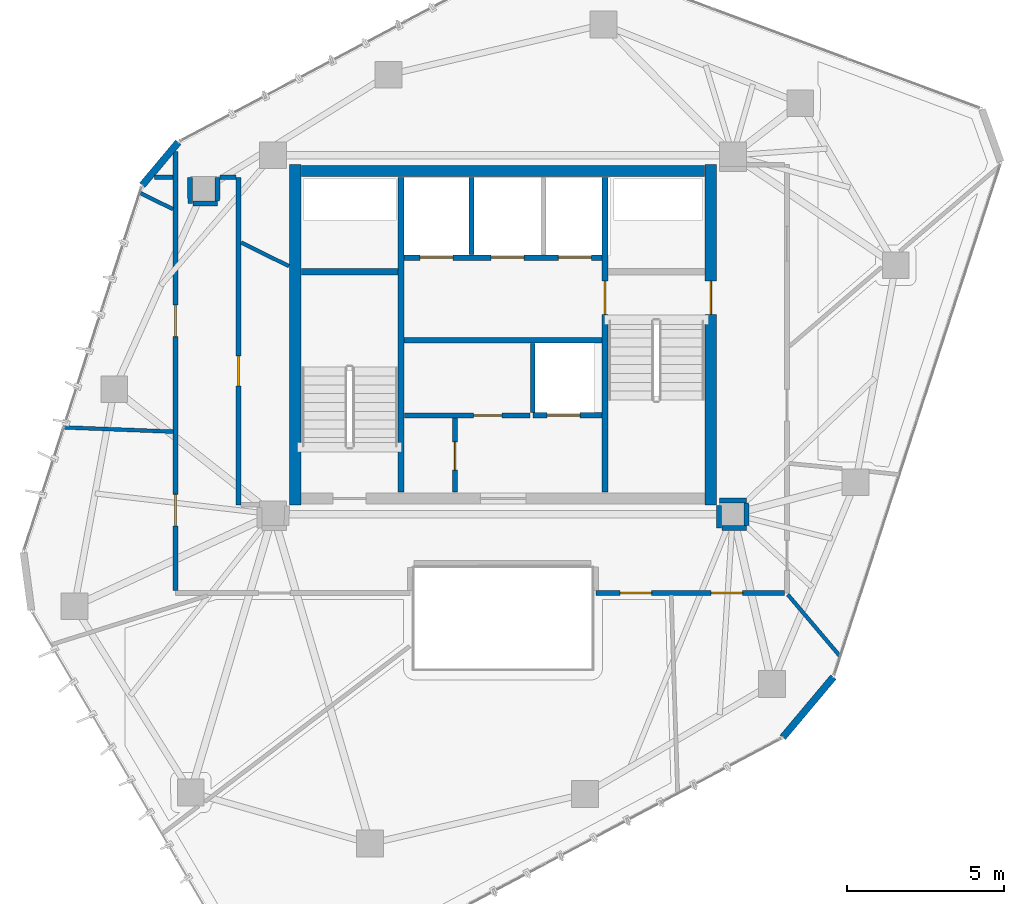
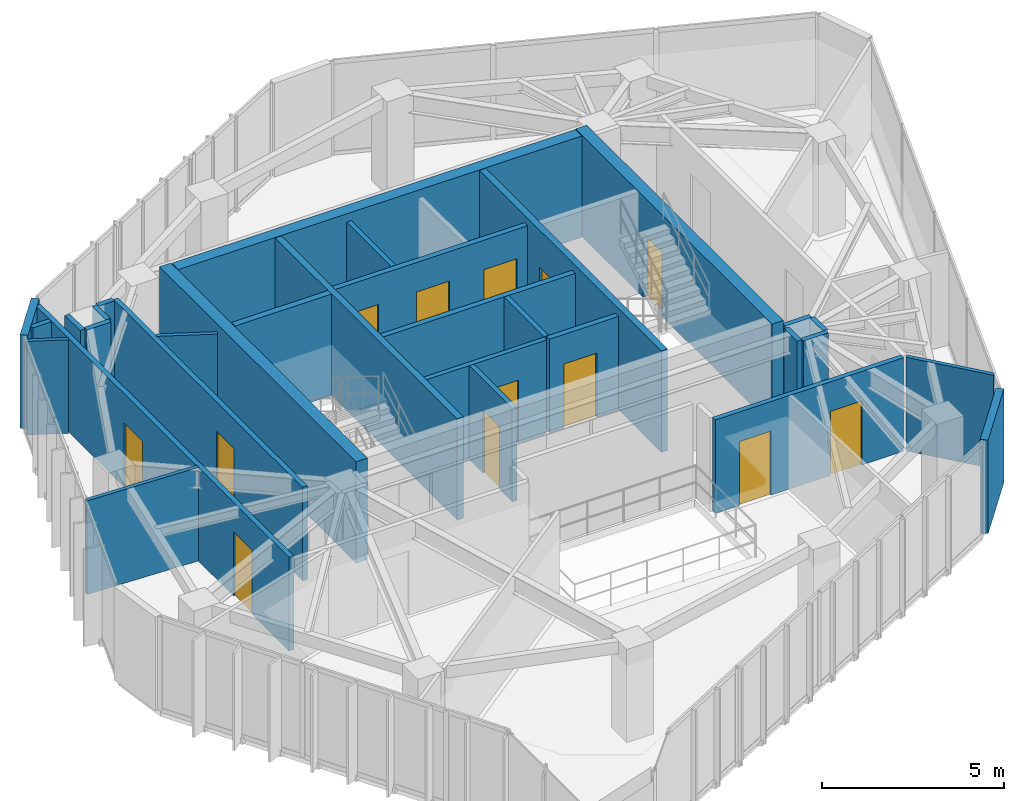
# One storey, part 17 of 20: 31 walls, 13 doors, 13 openings.
"""IFC4 building model written with IfcOpenShell, lengths in metres."""

from ifc_helpers import new_model, si_unit, direction, frame, frame_2d, origin, place, context, subcontext, project, spatial, rectangle, extrude, source, transform, mapped, material, layer, layer_set, type_object, type_shapes, element, fill, save


model = new_model("IFC4")

# Units and contexts
model_context = context("Model", 3, precision=1e-05, world=origin(), true_north=direction((0.0, 1.0)))
body_context = subcontext(model_context, "Body", "Model", "MODEL_VIEW")
ifc_project = project(units=[si_unit("LENGTHUNIT", "METRE"), si_unit("AREAUNIT", "SQUARE_METRE"), si_unit("VOLUMEUNIT", "CUBIC_METRE"), si_unit("PLANEANGLEUNIT", "RADIAN"), si_unit("MASSUNIT", "GRAM", prefix="KILO")], contexts=[model_context])

# Site, building, storey
site_placement = place(None, origin())
site = spatial("IfcSite", under=ifc_project, at=site_placement, CompositionType="ELEMENT")
building_placement = place(site_placement, origin())
building = spatial("IfcBuilding", under=site, at=building_placement, Name="Talar Marvaseh", CompositionType="ELEMENT")
storey_placement = place(building_placement, frame((0.0, 0.0, 261.199951171875)))
storey = spatial("IfcBuildingStorey", under=building, at=storey_placement, Name="L69", CompositionType="ELEMENT", Elevation=261.199951171875)

# Walls
ifc_material_1 = material(Name="Precast concrete C45/55", Category="concrete")
ifc_layer_1 = layer(ifc_material_1, 0.22509765625)
ifc_layer_set_1 = layer_set([ifc_layer_1], Name="Precast concrete C45/55")
wall_type_1 = type_object("IfcWallType", Name="Chamfered Hexagonal Corner Pier Wall Z4 225", PredefinedType="SOLIDWALL", material=ifc_layer_set_1)
wall_1_placement = place(storey_placement, frame((14.544677734375, 35.949951171875, 0.0), z_axis=(0.0, 0.0, 1.0), x_axis=(0.642783615646, 0.766047794499, 0.0)))
element("IfcWall", 1, at=wall_1_placement, inside=storey, type_object=wall_type_1, Name="L69 Chamfered Corner Limestone Pier 3", PredefinedType="SOLIDWALL", context=body_context, shape_type="SweptSolid", body=[
    extrude(rectangle(XDim=1.780517578125, YDim=0.22509765625, at=frame_2d((0.89013671875, 0.0))), origin(), (0.0, 0.0, 1.0), 3.14013671875),
])
wall_2_placement = place(storey_placement, frame((36.492431640625, 20.3291015625, 0.0), z_axis=(0.0, 0.0, 1.0), x_axis=(-0.642752667284, -0.766073761918, 0.0)))
element("IfcWall", 2, at=wall_2_placement, inside=storey, type_object=wall_type_1, Name="L69 Chamfered Corner Limestone Pier 6", PredefinedType="SOLIDWALL", context=body_context, shape_type="SweptSolid", body=[
    extrude(rectangle(XDim=2.50244140625, YDim=0.22509765625, at=frame_2d((1.251220703125, 0.0))), origin(), (0.0, 0.0, 1.0), 3.14013671875),
])

# Wall, opening, door
ifc_material_2 = material(Name="Gypsum Board Partition Assembly")
ifc_layer_2 = layer(ifc_material_2, 0.155029296875)
ifc_layer_set_2 = layer_set([ifc_layer_2], Name="Gypsum Board Partition Assembly")
wall_type_2 = type_object("IfcWallType", Name="Corridor Fire-Rated Acoustic Partition 155", PredefinedType="PARTITIONING", material=ifc_layer_set_2)
wall_3_placement = place(storey_placement, frame((22.865966796875, 28.639892578125, 0.0), z_axis=(0.0, 0.0, 1.0), x_axis=(1.0, 0.0, 0.0)))
wall_3 = element("IfcWall", 3, at=wall_3_placement, inside=storey, type_object=wall_type_2, Name="L69 Core BOH Partition", PredefinedType="PARTITIONING", context=body_context, shape_type="SweptSolid", body=[
    extrude(rectangle(XDim=3.994140625, YDim=0.155029296875, at=frame_2d((1.9970703125, 0.0))), origin(), (0.0, 0.0, 1.0), 3.14013671875),
])
opening_1_placement = place(wall_3_placement, frame((2.199951171875, 0.0, 0.0)))
opening_1 = element("IfcOpeningElement", 4, at=opening_1_placement, cuts=wall_3, Name="Opening DR-BOH090", PredefinedType="OPENING", context=body_context, shape_type="SweptSolid", body=[
    extrude(rectangle(XDim=0.89990234375, YDim=2.10009765625, at=frame_2d((0.449951171875, 1.050048828125))), frame((0.0, 0.08740234375, 0.0), z_axis=(0.0, -1.0, 0.0), x_axis=(1.0, 0.0, 0.0)), (0.0, 0.0, 1.0), 0.175048828125),
])
ifc_material_3 = material(Name="Fire-Rated Steel Door Leaf", Category="steel")
door_type_1 = type_object("IfcDoorType", Name="Core Back-of-House Service Door 900x2100", OperationType="NOTDEFINED", PredefinedType="DOOR", material=ifc_material_3)
shared_shape_1 = source(origin(), body_context, "Body", "SweptSolid", [
    extrude(rectangle(XDim=0.89990234375, YDim=2.10009765625, at=frame_2d((0.449951171875, 1.050048828125))), frame((0.0, 0.02490234375, 0.0), z_axis=(0.0, -1.0, 0.0), x_axis=(1.0, 0.0, 0.0)), (0.0, 0.0, 1.0), 0.050048828125),
])
type_shapes(door_type_1, [shared_shape_1])
door_1_placement = place(opening_1_placement, origin())
door_1 = element("IfcDoor", 5, at=door_1_placement, inside=storey, type_object=door_type_1, Name="L69 Store Sky Core Archive Room Door", OperationType="SINGLE_SWING_LEFT", OverallHeight=2.10009765625, OverallWidth=0.89990234375, PredefinedType="DOOR", context=body_context, shape_type="MappedRepresentation", body=[
    mapped(shared_shape_1, transform((0.0, 0.0, 0.0), x_axis=(1.0, 0.0, 0.0), y_axis=(0.0, 1.0, 0.0), z_axis=(0.0, 0.0, 1.0), scale=1.0)),
])
fill(opening_1, door_1)

wall_4_placement = place(storey_placement, frame((24.47998046875, 26.199951171875, 0.0), z_axis=(0.0, 0.0, 1.0), x_axis=(0.0, 1.0, 0.0)))
wall_4 = element("IfcWall", 6, at=wall_4_placement, inside=storey, type_object=wall_type_2, Name="L69 Core BOH Partition", PredefinedType="PARTITIONING", context=body_context, shape_type="SweptSolid", body=[
    extrude(rectangle(XDim=2.360107421875, YDim=0.155029296875, at=frame_2d((1.18017578125, 0.0))), origin(), (0.0, 0.0, 1.0), 3.14013671875),
])
opening_2_placement = place(wall_4_placement, frame((0.699951171875, 0.0, 0.0)))
opening_2 = element("IfcOpeningElement", 7, at=opening_2_placement, cuts=wall_4, Name="Opening DR-BOH090", PredefinedType="OPENING", context=body_context, shape_type="SweptSolid", body=[
    extrude(rectangle(XDim=0.89990234375, YDim=2.10009765625, at=frame_2d((0.449951171875, 1.050048828125))), frame((0.0, 0.08740234375, 0.0), z_axis=(0.0, -1.0, 0.0), x_axis=(1.0, 0.0, 0.0)), (0.0, 0.0, 1.0), 0.175048828125),
])
door_2_placement = place(opening_2_placement, origin())
door_2 = element("IfcDoor", 8, at=door_2_placement, inside=storey, type_object=door_type_1, Name="L69 Cleaner and Linen Store Door", OperationType="SINGLE_SWING_LEFT", OverallHeight=2.10009765625, OverallWidth=0.89990234375, PredefinedType="DOOR", context=body_context, shape_type="MappedRepresentation", body=[
    mapped(shared_shape_1, transform((0.0, 0.0, 0.0), x_axis=(1.0, 0.0, 0.0), y_axis=(0.0, 1.0, 0.0), z_axis=(0.0, 0.0, 1.0), scale=1.0)),
])
fill(opening_2, door_2)

wall_5_placement = place(storey_placement, frame((17.60009765625, 36.199951171875, 0.0), z_axis=(0.0, 0.0, 1.0), x_axis=(0.0, -1.0, 0.0)))
wall_5 = element("IfcWall", 9, at=wall_5_placement, inside=storey, type_object=wall_type_2, Name="L69 Interior Partition Wall", PredefinedType="PARTITIONING", context=body_context, shape_type="SweptSolid", body=[
    extrude(rectangle(XDim=10.39990234375, YDim=0.155029296875, at=frame_2d((5.199951171875, 0.0))), origin(), (0.0, 0.0, 1.0), 3.14013671875),
])
opening_3_placement = place(wall_5_placement, frame((5.672119140625, 0.0, 0.0)))
opening_3 = element("IfcOpeningElement", 10, at=opening_3_placement, cuts=wall_5, Name="Opening DR-WC095", PredefinedType="OPENING", context=body_context, shape_type="SweptSolid", body=[
    extrude(rectangle(XDim=0.949951171875, YDim=2.14990234375, at=frame_2d((0.47509765625, 1.074951171875))), frame((0.0, 0.08740234375, 0.0), z_axis=(0.0, -1.0, 0.0), x_axis=(1.0, 0.0, 0.0)), (0.0, 0.0, 1.0), 0.175048828125),
])
ifc_material_4 = material(Name="Acoustic Engineered Oak Timber", Category="wood")
door_type_2 = type_object("IfcDoorType", Name="Washroom and Service Room Door 950x2150", OperationType="NOTDEFINED", PredefinedType="DOOR", material=ifc_material_4)
shared_shape_2 = source(origin(), body_context, "Body", "SweptSolid", [
    extrude(rectangle(XDim=0.949951171875, YDim=2.14990234375, at=frame_2d((0.47509765625, 1.074951171875))), frame((0.0, 0.02490234375, 0.0), z_axis=(0.0, -1.0, 0.0), x_axis=(1.0, 0.0, 0.0)), (0.0, 0.0, 1.0), 0.050048828125),
])
type_shapes(door_type_2, [shared_shape_2])
door_3_placement = place(opening_3_placement, origin())
door_3 = element("IfcDoor", 11, at=door_3_placement, inside=storey, type_object=door_type_2, Name="L69 Accessible WC Door", OperationType="SINGLE_SWING_RIGHT", OverallHeight=2.14990234375, OverallWidth=0.949951171875, PredefinedType="DOOR", context=body_context, shape_type="MappedRepresentation", body=[
    mapped(shared_shape_2, transform((0.0, 0.0, 0.0), x_axis=(1.0, 0.0, 0.0), y_axis=(0.0, 1.0, 0.0), z_axis=(0.0, 0.0, 1.0), scale=1.0)),
])
fill(opening_3, door_3)

# Wall, openings, doors
wall_6_placement = place(storey_placement, frame((34.9365234375, 23.0, 0.0), z_axis=(0.0, 0.0, 1.0), x_axis=(-1.0, 0.0, 0.0)))
wall_6 = element("IfcWall", 12, at=wall_6_placement, inside=storey, type_object=wall_type_2, Name="L69 Interior Partition Wall", PredefinedType="PARTITIONING", context=body_context, shape_type="SweptSolid", body=[
    extrude(rectangle(XDim=5.9765625, YDim=0.155029296875, at=frame_2d((2.98828125, 0.0))), origin(), (0.0, 0.0, 1.0), 3.14013671875),
])
opening_4_placement = place(wall_6_placement, frame((4.215087890625, 0.0, 0.0)))
opening_4 = element("IfcOpeningElement", 13, at=opening_4_placement, cuts=wall_6, Name="Opening DR-RM100", PredefinedType="OPENING", context=body_context, shape_type="SweptSolid", body=[
    extrude(rectangle(XDim=1.0, YDim=2.14990234375, at=frame_2d((0.5, 1.074951171875))), frame((0.0, 0.08740234375, 0.0), z_axis=(0.0, -1.0, 0.0), x_axis=(1.0, 0.0, 0.0)), (0.0, 0.0, 1.0), 0.175048828125),
])
opening_5_placement = place(wall_6_placement, frame((1.324951171875, 0.0, 0.0)))
opening_5 = element("IfcOpeningElement", 14, at=opening_5_placement, cuts=wall_6, Name="Opening DR-RM100", PredefinedType="OPENING", context=body_context, shape_type="SweptSolid", body=[
    extrude(rectangle(XDim=1.0, YDim=2.14990234375, at=frame_2d((0.5, 1.074951171875))), frame((0.0, 0.08740234375, 0.0), z_axis=(0.0, -1.0, 0.0), x_axis=(1.0, 0.0, 0.0)), (0.0, 0.0, 1.0), 0.175048828125),
])
door_type_3 = type_object("IfcDoorType", Name="Corridor Fire-Rated Gallery Door 1000x2150", OperationType="NOTDEFINED", PredefinedType="DOOR", material=ifc_material_4)
shared_shape_3 = source(origin(), body_context, "Body", "SweptSolid", [
    extrude(rectangle(XDim=1.0, YDim=2.14990234375, at=frame_2d((0.5, 1.074951171875))), frame((0.0, 0.02490234375, 0.0), z_axis=(0.0, -1.0, 0.0), x_axis=(1.0, 0.0, 0.0)), (0.0, 0.0, 1.0), 0.050048828125),
])
type_shapes(door_type_3, [shared_shape_3])
door_4_placement = place(opening_4_placement, origin())
door_4 = element("IfcDoor", 15, at=door_4_placement, inside=storey, type_object=door_type_3, Name="L69 Artisan Craft Showroom Door", OperationType="SINGLE_SWING_RIGHT", OverallHeight=2.14990234375, OverallWidth=1.0, PredefinedType="DOOR", context=body_context, shape_type="MappedRepresentation", body=[
    mapped(shared_shape_3, transform((0.0, 0.0, 0.0), x_axis=(1.0, 0.0, 0.0), y_axis=(0.0, 1.0, 0.0), z_axis=(0.0, 0.0, 1.0), scale=1.0)),
])
fill(opening_4, door_4)
door_5_placement = place(opening_5_placement, origin())
door_5 = element("IfcDoor", 16, at=door_5_placement, inside=storey, type_object=door_type_3, Name="L69 Registrar Mail and Post Room Door", OperationType="SINGLE_SWING_LEFT", OverallHeight=2.14990234375, OverallWidth=1.0, PredefinedType="DOOR", context=body_context, shape_type="MappedRepresentation", body=[
    mapped(shared_shape_3, transform((0.0, 0.0, 0.0), x_axis=(1.0, 0.0, 0.0), y_axis=(0.0, 1.0, 0.0), z_axis=(0.0, 0.0, 1.0), scale=1.0)),
])
fill(opening_5, door_5)

wall_7_placement = place(storey_placement, frame((15.60009765625, 23.08349609375, 0.0), z_axis=(0.0, 0.0, 1.0), x_axis=(0.0, 1.0, 0.0)))
wall_7 = element("IfcWall", 17, at=wall_7_placement, inside=storey, type_object=wall_type_2, Name="L69 Interior Partition Wall", PredefinedType="PARTITIONING", context=body_context, shape_type="SweptSolid", body=[
    extrude(rectangle(XDim=13.939208984375, YDim=0.155029296875, at=frame_2d((6.9697265625, 0.0))), origin(), (0.0, 0.0, 1.0), 3.14013671875),
])
opening_6_placement = place(wall_7_placement, frame((2.044677734375, 0.0, 0.0)))
opening_6 = element("IfcOpeningElement", 18, at=opening_6_placement, cuts=wall_7, Name="Opening DR-RM100", PredefinedType="OPENING", context=body_context, shape_type="SweptSolid", body=[
    extrude(rectangle(XDim=1.0, YDim=2.14990234375, at=frame_2d((0.5, 1.074951171875))), frame((0.0, 0.08740234375, 0.0), z_axis=(0.0, -1.0, 0.0), x_axis=(1.0, 0.0, 0.0)), (0.0, 0.0, 1.0), 0.175048828125),
])
opening_7_placement = place(wall_7_placement, frame((8.0556640625, 0.0, 0.0)))
opening_7 = element("IfcOpeningElement", 19, at=opening_7_placement, cuts=wall_7, Name="Opening DR-RM100", PredefinedType="OPENING", context=body_context, shape_type="SweptSolid", body=[
    extrude(rectangle(XDim=1.0, YDim=2.14990234375, at=frame_2d((0.5, 1.074951171875))), frame((0.0, 0.08740234375, 0.0), z_axis=(0.0, -1.0, 0.0), x_axis=(1.0, 0.0, 0.0)), (0.0, 0.0, 1.0), 0.175048828125),
])
door_6_placement = place(opening_6_placement, origin())
door_6 = element("IfcDoor", 20, at=door_6_placement, inside=storey, type_object=door_type_3, Name="L69 Museum Publication Bookshop Door", OperationType="SINGLE_SWING_RIGHT", OverallHeight=2.14990234375, OverallWidth=1.0, PredefinedType="DOOR", context=body_context, shape_type="MappedRepresentation", body=[
    mapped(shared_shape_3, transform((0.0, 0.0, 0.0), x_axis=(1.0, 0.0, 0.0), y_axis=(0.0, 1.0, 0.0), z_axis=(0.0, 0.0, 1.0), scale=1.0)),
])
fill(opening_6, door_6)
door_7_placement = place(opening_7_placement, origin())
door_7 = element("IfcDoor", 21, at=door_7_placement, inside=storey, type_object=door_type_3, Name="L69 Digital Paleography Studio Door", OperationType="SINGLE_SWING_LEFT", OverallHeight=2.14990234375, OverallWidth=1.0, PredefinedType="DOOR", context=body_context, shape_type="MappedRepresentation", body=[
    mapped(shared_shape_3, transform((0.0, 0.0, 0.0), x_axis=(1.0, 0.0, 0.0), y_axis=(0.0, 1.0, 0.0), z_axis=(0.0, 0.0, 1.0), scale=1.0)),
])
fill(opening_7, door_7)

# Walls
wall_8_placement = place(storey_placement, frame((16.053955078125, 36.199951171875, 0.0), z_axis=(0.0, 0.0, 1.0), x_axis=(0.018168161375, -0.999834945335, 0.0)))
element("IfcWall", 22, at=wall_8_placement, inside=storey, type_object=wall_type_2, Name="L69 Interior Partition Wall", PredefinedType="PARTITIONING", context=body_context, shape_type="SweptSolid", body=[
    extrude(rectangle(XDim=0.833251953125, YDim=0.155029296875, at=frame_2d((0.41650390625, 0.0))), origin(), (0.0, 0.0, 1.0), 3.14013671875),
])
wall_9_placement = place(storey_placement, frame((16.152587890625, 35.3671875, 0.0), z_axis=(0.0, 0.0, 1.0), x_axis=(0.999997558852, 0.002209590566, 0.0)))
element("IfcWall", 23, at=wall_9_placement, inside=storey, type_object=wall_type_2, Name="L69 Interior Partition Wall", PredefinedType="PARTITIONING", context=body_context, shape_type="SweptSolid", body=[
    extrude(rectangle(XDim=0.7734375, YDim=0.155029296875, at=frame_2d((0.38671875, 0.0))), origin(), (0.0, 0.0, 1.0), 3.14013671875),
])
wall_10_placement = place(storey_placement, frame((16.927001953125, 35.452392578125, 0.0), z_axis=(0.0, 0.0, 1.0), x_axis=(0.009470509294, 0.999955153721, 0.0)))
element("IfcWall", 24, at=wall_10_placement, inside=storey, type_object=wall_type_2, Name="L69 Interior Partition Wall", PredefinedType="PARTITIONING", context=body_context, shape_type="SweptSolid", body=[
    extrude(rectangle(XDim=0.74755859375, YDim=0.155029296875, at=frame_2d((0.373779296875, 0.0))), origin(), (0.0, 0.0, 1.0), 3.14013671875),
])
wall_11_placement = place(storey_placement, frame((17.017578125, 36.199951171875, 0.0), z_axis=(0.0, 0.0, 1.0), x_axis=(1.0, 0.0, 0.0)))
element("IfcWall", 25, at=wall_11_placement, inside=storey, type_object=wall_type_2, Name="L69 Interior Partition Wall", PredefinedType="PARTITIONING", context=body_context, shape_type="SweptSolid", body=[
    extrude(rectangle(XDim=0.4990234375, YDim=0.155029296875, at=frame_2d((0.24951171875, 0.0))), origin(), (0.0, 0.0, 1.0), 3.14013671875),
])
wall_12_placement = place(storey_placement, frame((14.936279296875, 36.199951171875, 0.0), z_axis=(0.0, 0.0, 1.0), x_axis=(1.0, 0.0, 0.0)))
element("IfcWall", 26, at=wall_12_placement, inside=storey, type_object=wall_type_2, Name="L69 Interior Partition Wall", PredefinedType="PARTITIONING", context=body_context, shape_type="SweptSolid", body=[
    extrude(rectangle(XDim=0.580322265625, YDim=0.155029296875, at=frame_2d((0.2900390625, 0.0))), origin(), (0.0, 0.0, 1.0), 3.14013671875),
])
wall_13_placement = place(storey_placement, frame((33.72509765625, 25.93994140625, 0.0), z_axis=(0.0, 0.0, 1.0), x_axis=(-0.999986790873, -0.005139852152, 0.0)))
element("IfcWall", 27, at=wall_13_placement, inside=storey, type_object=wall_type_2, Name="L69 Interior Partition Wall", PredefinedType="PARTITIONING", context=body_context, shape_type="SweptSolid", body=[
    extrude(rectangle(XDim=0.85498046875, YDim=0.155029296875, at=frame_2d((0.427490234375, 0.0))), origin(), (0.0, 0.0, 1.0), 3.14013671875),
])
wall_14_placement = place(storey_placement, frame((32.864501953125, 25.772705078125, 0.0), z_axis=(0.0, 0.0, 1.0), x_axis=(0.0, -1.0, 0.0)))
element("IfcWall", 28, at=wall_14_placement, inside=storey, type_object=wall_type_2, Name="L69 Interior Partition Wall", PredefinedType="PARTITIONING", context=body_context, shape_type="SweptSolid", body=[
    extrude(rectangle(XDim=0.708251953125, YDim=0.155029296875, at=frame_2d((0.35400390625, 0.0))), origin(), (0.0, 0.0, 1.0), 3.14013671875),
])
wall_15_placement = place(storey_placement, frame((32.947998046875, 25.064453125, 0.0), z_axis=(0.0, 0.0, 1.0), x_axis=(1.0, 0.0, 0.0)))
element("IfcWall", 29, at=wall_15_placement, inside=storey, type_object=wall_type_2, Name="L69 Interior Partition Wall", PredefinedType="PARTITIONING", context=body_context, shape_type="SweptSolid", body=[
    extrude(rectangle(XDim=0.78759765625, YDim=0.155029296875, at=frame_2d((0.393798828125, 0.0))), origin(), (0.0, 0.0, 1.0), 3.14013671875),
])
wall_16_placement = place(storey_placement, frame((33.734619140625, 25.14794921875, 0.0), z_axis=(0.0, 0.0, 1.0), x_axis=(-0.012059770759, 0.99992727832, 0.0)))
element("IfcWall", 30, at=wall_16_placement, inside=storey, type_object=wall_type_2, Name="L69 Interior Partition Wall", PredefinedType="PARTITIONING", context=body_context, shape_type="SweptSolid", body=[
    extrude(rectangle(XDim=0.70849609375, YDim=0.155029296875, at=frame_2d((0.354248046875, 0.0))), origin(), (0.0, 0.0, 1.0), 3.14013671875),
])
ifc_layer_3 = layer(ifc_material_2, 0.1201171875)
ifc_layer_set_3 = layer_set([ifc_layer_3], Name="Gypsum Board Partition Assembly")
wall_type_3 = type_object("IfcWallType", Name="Demountable Studio Room Partition 120", PredefinedType="PARTITIONING", material=ifc_layer_set_3)
wall_17_placement = place(storey_placement, frame((12.075927734375, 28.257080078125, 0.0), z_axis=(0.0, 0.0, 1.0), x_axis=(0.999244622917, -0.038861080408, 0.0)))
element("IfcWall", 31, at=wall_17_placement, inside=storey, type_object=wall_type_3, Name="L69 Interior Partition Wall", PredefinedType="PARTITIONING", context=body_context, shape_type="SweptSolid", body=[
    extrude(rectangle(XDim=3.461669921875, YDim=0.1201171875, at=frame_2d((1.73095703125, 0.0))), origin(), (0.0, 0.0, 1.0), 3.14013671875),
])
wall_18_placement = place(storey_placement, frame((35.0419921875, 22.950439453125, 0.0), z_axis=(0.0, 0.0, 1.0), x_axis=(0.646696133088, -0.762747737754, 0.0)))
element("IfcWall", 32, at=wall_18_placement, inside=storey, type_object=wall_type_3, Name="L69 Interior Partition Wall", PredefinedType="PARTITIONING", context=body_context, shape_type="SweptSolid", body=[
    extrude(rectangle(XDim=2.553955078125, YDim=0.1201171875, at=frame_2d((1.27685546875, 0.0))), origin(), (0.0, 0.0, 1.0), 3.14013671875),
])
wall_19_placement = place(storey_placement, frame((15.5166015625, 35.19091796875, 0.0), z_axis=(0.0, 0.0, 1.0), x_axis=(-0.898216722048, 0.439552863981, 0.0)))
element("IfcWall", 33, at=wall_19_placement, inside=storey, type_object=wall_type_3, Name="L69 Interior Partition Wall", PredefinedType="PARTITIONING", context=body_context, shape_type="SweptSolid", body=[
    extrude(rectangle(XDim=1.149658203125, YDim=0.1201171875, at=frame_2d((0.57470703125, 0.0))), origin(), (0.0, 0.0, 1.0), 3.14013671875),
])
wall_20_placement = place(storey_placement, frame((19.199951171875, 33.3798828125, 0.0), z_axis=(0.0, 0.0, 1.0), x_axis=(-0.89658201536, 0.442877736777, 0.0)))
element("IfcWall", 34, at=wall_20_placement, inside=storey, type_object=wall_type_3, Name="L69 Interior Partition Wall", PredefinedType="PARTITIONING", context=body_context, shape_type="SweptSolid", body=[
    extrude(rectangle(XDim=1.691162109375, YDim=0.1201171875, at=frame_2d((0.845703125, 0.0))), origin(), (0.0, 0.0, 1.0), 3.14013671875),
])
ifc_layer_4 = layer(ifc_material_1, 0.14501953125)
ifc_layer_set_4 = layer_set([ifc_layer_4], Name="Precast concrete C45/55")
wall_type_4 = type_object("IfcWallType", Name="Fire-Rated Lift Divider Wall 145", PredefinedType="SOLIDWALL", material=ifc_layer_set_4)
wall_21_placement = place(storey_placement, frame((25.0, 33.743408203125, 0.0), z_axis=(0.0, 0.0, 1.0), x_axis=(0.0, 1.0, 0.0)))
element("IfcWall", 35, at=wall_21_placement, inside=storey, type_object=wall_type_4, Name="L69 FFL-1/FFL-2 Divider", PredefinedType="SOLIDWALL", context=body_context, shape_type="SweptSolid", body=[
    extrude(rectangle(XDim=2.45654296875, YDim=0.14501953125, at=frame_2d((1.228271484375, 0.0))), origin(), (0.0, 0.0, 1.0), 3.14013671875),
])
wall_22_placement = place(storey_placement, frame((26.949951171875, 28.7333984375, 0.0), z_axis=(0.0, 0.0, 1.0), x_axis=(0.0, 1.0, 0.0)))
element("IfcWall", 36, at=wall_22_placement, inside=storey, type_object=wall_type_4, Name="L69 PL-H3 West Shaft Wall", PredefinedType="SOLIDWALL", context=body_context, shape_type="SweptSolid", body=[
    extrude(rectangle(XDim=2.193115234375, YDim=0.14501953125, at=frame_2d((1.0966796875, 0.0))), origin(), (0.0, 0.0, 1.0), 3.14013671875),
])

# Wall, openings, doors
ifc_layer_5 = layer(ifc_material_1, 0.175048828125)
ifc_layer_set_5 = layer_set([ifc_layer_5], Name="Precast concrete C45/55")
wall_type_5 = type_object("IfcWallType", Name="Fire-Rated Lift Hoistway Enclosure Wall 175", PredefinedType="SOLIDWALL", material=ifc_layer_set_5)
wall_23_placement = place(storey_placement, frame((22.860107421875, 33.64990234375, 0.0), z_axis=(0.0, 0.0, 1.0), x_axis=(1.0, 0.0, 0.0)))
wall_23 = element("IfcWall", 37, at=wall_23_placement, inside=storey, type_object=wall_type_5, Name="L69 Firefighting and Service Lift Front Wall", PredefinedType="SOLIDWALL", context=body_context, shape_type="SweptSolid", body=[
    extrude(rectangle(XDim=6.27978515625, YDim=0.175048828125, at=frame_2d((3.139892578125, 0.0))), origin(), (0.0, 0.0, 1.0), 3.14013671875),
])
opening_8_placement = place(wall_23_placement, frame((0.5, 0.0, 0.0)))
opening_8 = element("IfcOpeningElement", 38, at=opening_8_placement, cuts=wall_23, Name="Opening LD-FF1", PredefinedType="OPENING", context=body_context, shape_type="SweptSolid", body=[
    extrude(rectangle(XDim=1.050048828125, YDim=2.14990234375, at=frame_2d((0.52490234375, 1.074951171875))), frame((0.0, 0.09765625, 0.0), z_axis=(0.0, -1.0, 0.0), x_axis=(1.0, 0.0, 0.0)), (0.0, 0.0, 1.0), 0.195068359375),
])
opening_9_placement = place(wall_23_placement, frame((2.760009765625, 0.0, 0.0)))
opening_9 = element("IfcOpeningElement", 39, at=opening_9_placement, cuts=wall_23, Name="Opening LD-FF2", PredefinedType="OPENING", context=body_context, shape_type="SweptSolid", body=[
    extrude(rectangle(XDim=1.050048828125, YDim=2.14990234375, at=frame_2d((0.52490234375, 1.074951171875))), frame((0.0, 0.09765625, 0.0), z_axis=(0.0, -1.0, 0.0), x_axis=(1.0, 0.0, 0.0)), (0.0, 0.0, 1.0), 0.195068359375),
])
opening_10_placement = place(wall_23_placement, frame((4.89990234375, 0.0, 0.0)))
opening_10 = element("IfcOpeningElement", 40, at=opening_10_placement, cuts=wall_23, Name="Opening LD-SV1", PredefinedType="OPENING", context=body_context, shape_type="SweptSolid", body=[
    extrude(rectangle(XDim=1.050048828125, YDim=2.14990234375, at=frame_2d((0.52490234375, 1.074951171875))), frame((0.0, 0.09765625, 0.0), z_axis=(0.0, -1.0, 0.0), x_axis=(1.0, 0.0, 0.0)), (0.0, 0.0, 1.0), 0.195068359375),
])
ifc_material_5 = material(Name="Stainless Steel Grade 316", Category="steel")
door_type_4 = type_object("IfcDoorType", Name="Automatic Sliding Lift Landing Door 1050x2150", OperationType="NOTDEFINED", PredefinedType="DOOR", material=ifc_material_5)
shared_shape_4 = source(origin(), body_context, "Body", "SweptSolid", [
    extrude(rectangle(XDim=1.050048828125, YDim=2.14990234375, at=frame_2d((0.52490234375, 1.074951171875))), frame((0.0, 0.02490234375, 0.0), z_axis=(0.0, -1.0, 0.0), x_axis=(1.0, 0.0, 0.0)), (0.0, 0.0, 1.0), 0.050048828125),
])
type_shapes(door_type_4, [shared_shape_4])
door_8_placement = place(opening_8_placement, origin())
door_8 = element("IfcDoor", 41, at=door_8_placement, inside=storey, type_object=door_type_4, Name="L69 Lift FFL-1 Sliding Landing Door", OperationType="SLIDING_TO_LEFT", OverallHeight=2.14990234375, OverallWidth=1.050048828125, PredefinedType="DOOR", context=body_context, shape_type="MappedRepresentation", body=[
    mapped(shared_shape_4, transform((0.0, 0.0, 0.0), x_axis=(1.0, 0.0, 0.0), y_axis=(0.0, 1.0, 0.0), z_axis=(0.0, 0.0, 1.0), scale=1.0)),
])
fill(opening_8, door_8)
door_9_placement = place(opening_9_placement, origin())
door_9 = element("IfcDoor", 42, at=door_9_placement, inside=storey, type_object=door_type_4, Name="L69 Lift FFL-2 Sliding Landing Door", OperationType="SLIDING_TO_LEFT", OverallHeight=2.14990234375, OverallWidth=1.050048828125, PredefinedType="DOOR", context=body_context, shape_type="MappedRepresentation", body=[
    mapped(shared_shape_4, transform((0.0, 0.0, 0.0), x_axis=(1.0, 0.0, 0.0), y_axis=(0.0, 1.0, 0.0), z_axis=(0.0, 0.0, 1.0), scale=1.0)),
])
fill(opening_9, door_9)
door_10_placement = place(opening_10_placement, origin())
door_10 = element("IfcDoor", 43, at=door_10_placement, inside=storey, type_object=door_type_4, Name="L69 Lift SVL-1 Sliding Landing Door", OperationType="SLIDING_TO_LEFT", OverallHeight=2.14990234375, OverallWidth=1.050048828125, PredefinedType="DOOR", context=body_context, shape_type="MappedRepresentation", body=[
    mapped(shared_shape_4, transform((0.0, 0.0, 0.0), x_axis=(1.0, 0.0, 0.0), y_axis=(0.0, 1.0, 0.0), z_axis=(0.0, 0.0, 1.0), scale=1.0)),
])
fill(opening_10, door_10)

# Wall
wall_24_placement = place(storey_placement, frame((22.860107421875, 31.02001953125, 0.0), z_axis=(0.0, 0.0, 1.0), x_axis=(1.0, 0.0, 0.0)))
element("IfcWall", 44, at=wall_24_placement, inside=storey, type_object=wall_type_5, Name="L69 Firefighting Lobby South Smoke Wall", PredefinedType="SOLIDWALL", context=body_context, shape_type="SweptSolid", body=[
    extrude(rectangle(XDim=6.27978515625, YDim=0.175048828125, at=frame_2d((3.139892578125, 0.0))), origin(), (0.0, 0.0, 1.0), 3.14013671875),
])

# Wall, opening, door
wall_25_placement = place(storey_placement, frame((26.949951171875, 28.639892578125, 0.0), z_axis=(0.0, 0.0, 1.0), x_axis=(1.0, 0.0, 0.0)))
wall_25 = element("IfcWall", 45, at=wall_25_placement, inside=storey, type_object=wall_type_5, Name="L69 Sky Express Lift Front Wall", PredefinedType="SOLIDWALL", context=body_context, shape_type="SweptSolid", body=[
    extrude(rectangle(XDim=2.18994140625, YDim=0.175048828125, at=frame_2d((1.094970703125, 0.0))), origin(), (0.0, 0.0, 1.0), 3.14013671875),
])
opening_11_placement = place(wall_25_placement, frame((0.449951171875, 0.0, 0.0)))
opening_11 = element("IfcOpeningElement", 46, at=opening_11_placement, cuts=wall_25, Name="Opening LD-PLH3", PredefinedType="OPENING", context=body_context, shape_type="SweptSolid", body=[
    extrude(rectangle(XDim=1.050048828125, YDim=2.14990234375, at=frame_2d((0.52490234375, 1.074951171875))), frame((0.0, 0.09765625, 0.0), z_axis=(0.0, -1.0, 0.0), x_axis=(1.0, 0.0, 0.0)), (0.0, 0.0, 1.0), 0.195068359375),
])
door_11_placement = place(opening_11_placement, origin())
door_11 = element("IfcDoor", 47, at=door_11_placement, inside=storey, type_object=door_type_4, Name="L69 Lift PL-H3 Sliding Landing Door", OperationType="SLIDING_TO_LEFT", OverallHeight=2.14990234375, OverallWidth=1.050048828125, PredefinedType="DOOR", context=body_context, shape_type="MappedRepresentation", body=[
    mapped(shared_shape_4, transform((0.0, 0.0, 0.0), x_axis=(1.0, 0.0, 0.0), y_axis=(0.0, 1.0, 0.0), z_axis=(0.0, 0.0, 1.0), scale=1.0)),
])
fill(opening_11, door_11)

# Wall
ifc_material_6 = material(Name="Concrete C50/60", Category="concrete")
ifc_layer_6 = layer(ifc_material_6, 0.199951171875)
ifc_layer_set_6 = layer_set([ifc_layer_6], Name="Concrete C50/60")
wall_type_6 = type_object("IfcWallType", Name="Stair Shaft Structural Concrete Shear Wall 200", PredefinedType="SHEAR", material=ifc_layer_set_6)
wall_26_placement = place(storey_placement, frame((22.760009765625, 26.199951171875, 0.0), z_axis=(0.0, 0.0, 1.0), x_axis=(0.0, 1.0, 0.0)))
element("IfcWall", 48, at=wall_26_placement, inside=storey, type_object=wall_type_6, Name="L69 Core West Stair Shear Wall", PredefinedType="SHEAR", context=body_context, shape_type="SweptSolid", body=[
    extrude(rectangle(XDim=10.0, YDim=0.199951171875, at=frame_2d((5.0, 0.0))), origin(), (0.0, 0.0, 1.0), 3.400146484375),
])

# Wall, opening, door
wall_27_placement = place(storey_placement, frame((29.239990234375, 26.199951171875, 0.0), z_axis=(0.0, 0.0, 1.0), x_axis=(0.0, 1.0, 0.0)))
wall_27 = element("IfcWall", 49, at=wall_27_placement, inside=storey, type_object=wall_type_6, Name="L69 Core East Stair Shear Wall", PredefinedType="SHEAR", context=body_context, shape_type="SweptSolid", body=[
    extrude(rectangle(XDim=10.0, YDim=0.199951171875, at=frame_2d((5.0, 0.0))), origin(), (0.0, 0.0, 1.0), 3.400146484375),
])
opening_12_placement = place(wall_27_placement, frame((5.64990234375, 0.0, 0.0)))
opening_12 = element("IfcOpeningElement", 50, at=opening_12_placement, cuts=wall_27, Name="Opening DR-ST105", PredefinedType="OPENING", context=body_context, shape_type="SweptSolid", body=[
    extrude(rectangle(XDim=1.050048828125, YDim=2.14990234375, at=frame_2d((0.52490234375, 1.074951171875))), frame((0.0, 0.10986328125, 0.0), z_axis=(0.0, -1.0, 0.0), x_axis=(1.0, 0.0, 0.0)), (0.0, 0.0, 1.0), 0.219970703125),
])
door_type_5 = type_object("IfcDoorType", Name="Protected Exit Stair Fire Door 1050x2150", OperationType="NOTDEFINED", PredefinedType="DOOR", material=ifc_material_3)
shared_shape_5 = source(origin(), body_context, "Body", "SweptSolid", [
    extrude(rectangle(XDim=1.050048828125, YDim=2.14990234375, at=frame_2d((0.52490234375, 1.074951171875))), frame((0.0, 0.02490234375, 0.0), z_axis=(0.0, -1.0, 0.0), x_axis=(1.0, 0.0, 0.0)), (0.0, 0.0, 1.0), 0.050048828125),
])
type_shapes(door_type_5, [shared_shape_5])
door_12_placement = place(opening_12_placement, origin())
door_12 = element("IfcDoor", 51, at=door_12_placement, inside=storey, type_object=door_type_5, Name="L69 Firefighting Lobby to Stair ST-2 Door", OperationType="SINGLE_SWING_LEFT", OverallHeight=2.14990234375, OverallWidth=1.050048828125, PredefinedType="DOOR", context=body_context, shape_type="MappedRepresentation", body=[
    mapped(shared_shape_5, transform((0.0, 0.0, 0.0), x_axis=(1.0, 0.0, 0.0), y_axis=(0.0, 1.0, 0.0), z_axis=(0.0, 0.0, 1.0), scale=1.0)),
])
fill(opening_12, door_12)

# Walls
wall_28_placement = place(storey_placement, frame((19.60009765625, 33.199951171875, 0.0), z_axis=(0.0, 0.0, 1.0), x_axis=(1.0, 0.0, 0.0)))
element("IfcWall", 52, at=wall_28_placement, inside=storey, type_object=wall_type_6, Name="L69 Stair ST-1 North Shear Wall", PredefinedType="SHEAR", context=body_context, shape_type="SweptSolid", body=[
    extrude(rectangle(XDim=3.059814453125, YDim=0.199951171875, at=frame_2d((1.52978515625, 0.0))), origin(), (0.0, 0.0, 1.0), 3.400146484375),
])
ifc_layer_7 = layer(ifc_material_6, 0.360107421875)
ifc_layer_set_7 = layer_set([ifc_layer_7], Name="Concrete C50/60")
wall_type_7 = type_object("IfcWallType", Name="Upper Core Reinforced Concrete Shear Wall 360", PredefinedType="SHEAR", material=ifc_layer_set_7)
wall_29_placement = place(storey_placement, frame((19.39990234375, 25.800048828125, 0.0), z_axis=(0.0, 0.0, 1.0), x_axis=(0.0, 1.0, 0.0)))
element("IfcWall", 53, at=wall_29_placement, inside=storey, type_object=wall_type_7, Name="L69 West Core Shear Wall", PredefinedType="SHEAR", context=body_context, shape_type="SweptSolid", body=[
    extrude(rectangle(XDim=10.800048828125, YDim=0.360107421875, at=frame_2d((5.39990234375, 0.0))), origin(), (0.0, 0.0, 1.0), 3.400146484375),
])

# Wall, opening, door
wall_30_placement = place(storey_placement, frame((32.60009765625, 36.60009765625, 0.0), z_axis=(0.0, 0.0, 1.0), x_axis=(0.0, -1.0, 0.0)))
wall_30 = element("IfcWall", 54, at=wall_30_placement, inside=storey, type_object=wall_type_7, Name="L69 East Core Shear Wall", PredefinedType="SHEAR", context=body_context, shape_type="SweptSolid", body=[
    extrude(rectangle(XDim=10.800048828125, YDim=0.360107421875, at=frame_2d((5.39990234375, 0.0))), origin(), (0.0, 0.0, 1.0), 3.400146484375),
])
opening_13_placement = place(wall_30_placement, frame((3.699951171875, 0.0, 0.0)))
opening_13 = element("IfcOpeningElement", 55, at=opening_13_placement, cuts=wall_30, Name="Opening DR-ST105", PredefinedType="OPENING", context=body_context, shape_type="SweptSolid", body=[
    extrude(rectangle(XDim=1.050048828125, YDim=2.14990234375, at=frame_2d((0.52490234375, 1.074951171875))), frame((0.0, 0.18994140625, 0.0), z_axis=(0.0, -1.0, 0.0), x_axis=(1.0, 0.0, 0.0)), (0.0, 0.0, 1.0), 0.380126953125),
])
door_13_placement = place(opening_13_placement, origin())
door_13 = element("IfcDoor", 56, at=door_13_placement, inside=storey, type_object=door_type_5, Name="L69 Stair ST-2 Corridor Exit Door", OperationType="SINGLE_SWING_LEFT", OverallHeight=2.14990234375, OverallWidth=1.050048828125, PredefinedType="DOOR", context=body_context, shape_type="MappedRepresentation", body=[
    mapped(shared_shape_5, transform((0.0, 0.0, 0.0), x_axis=(1.0, 0.0, 0.0), y_axis=(0.0, 1.0, 0.0), z_axis=(0.0, 0.0, 1.0), scale=1.0)),
])
fill(opening_13, door_13)

# Wall
wall_31_placement = place(storey_placement, frame((19.60009765625, 36.39990234375, 0.0), z_axis=(0.0, 0.0, 1.0), x_axis=(1.0, 0.0, 0.0)))
element("IfcWall", 57, at=wall_31_placement, inside=storey, type_object=wall_type_7, Name="L69 North Core Shear Wall", PredefinedType="SHEAR", context=body_context, shape_type="SweptSolid", body=[
    extrude(rectangle(XDim=12.7998046875, YDim=0.360107421875, at=frame_2d((6.39990234375, 0.0))), origin(), (0.0, 0.0, 1.0), 3.400146484375),
])

save(model, "model.ifc")
